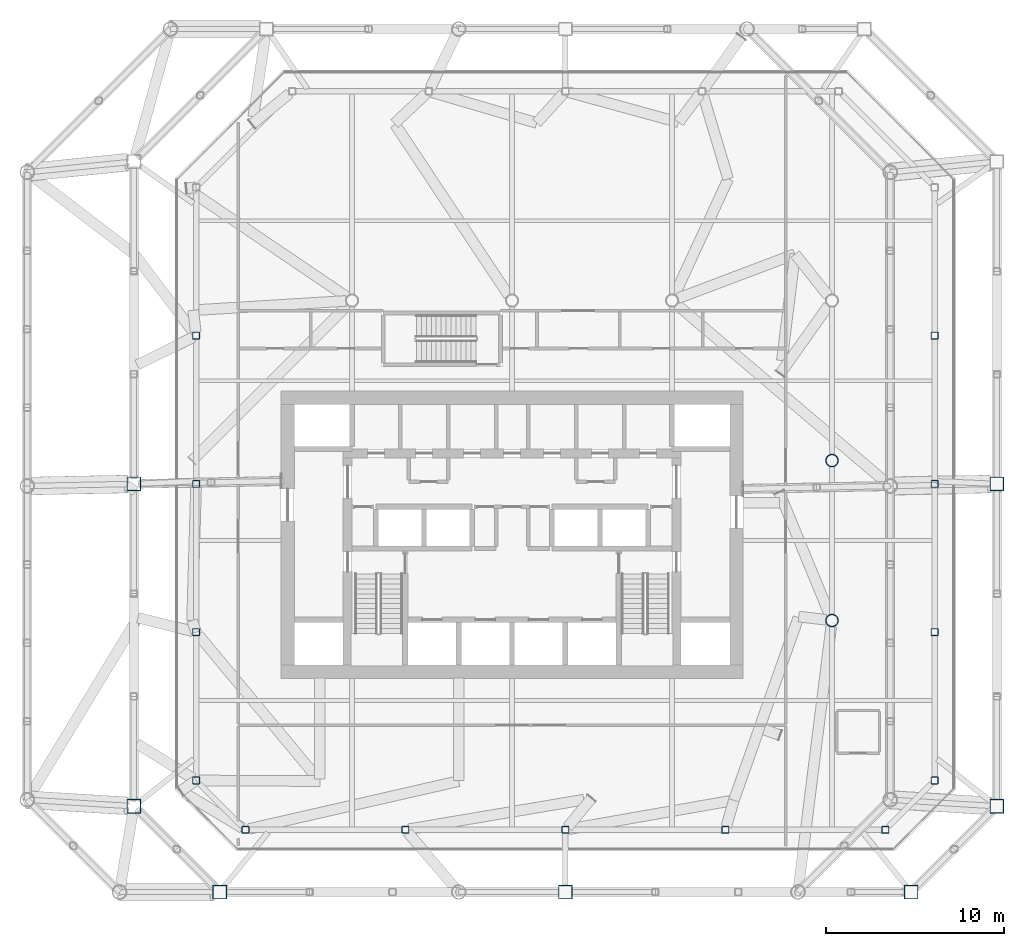
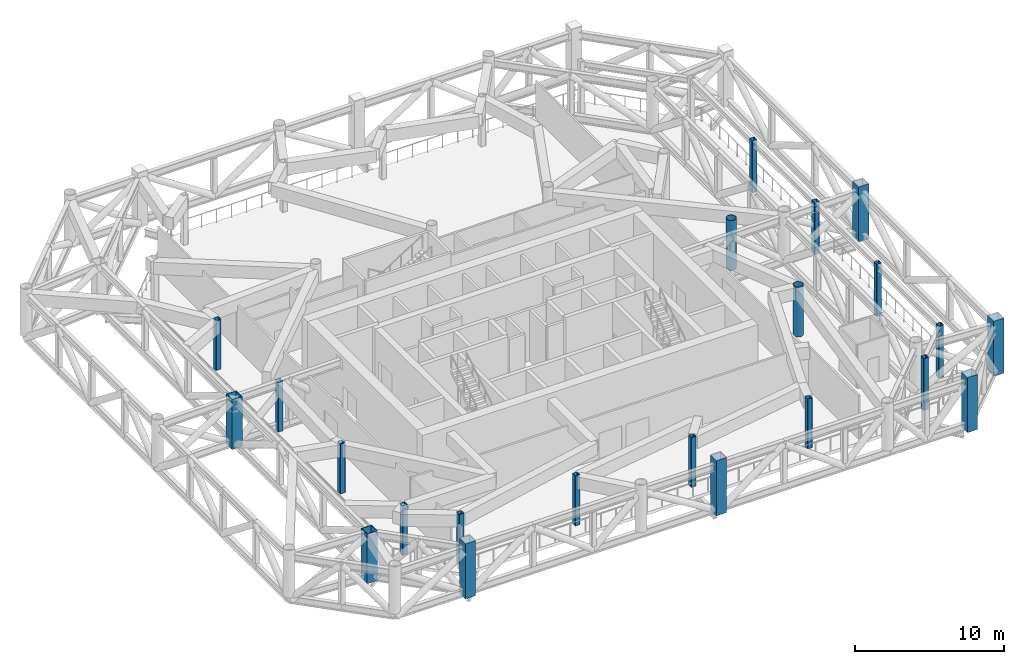
# One storey, part 1 of 21: 22 columns.
"""IFC4 building model written with IfcOpenShell, lengths in metres."""

from ifc_helpers import new_model, si_unit, direction, frame, origin, origin_2d, place, context, subcontext, project, spatial, hollow_rectangle, hollow_circle, extrude, material, material_profile, profile_set, type_object, element, save


model = new_model("IFC4")

# Units and contexts
model_context = context("Model", 3, precision=1e-05, world=origin(), true_north=direction((0.0, 1.0)))
body_context = subcontext(model_context, "Body", "Model", "MODEL_VIEW")
ifc_project = project(units=[si_unit("LENGTHUNIT", "METRE"), si_unit("AREAUNIT", "SQUARE_METRE"), si_unit("VOLUMEUNIT", "CUBIC_METRE"), si_unit("PLANEANGLEUNIT", "RADIAN"), si_unit("MASSUNIT", "GRAM", prefix="KILO")], contexts=[model_context])

# Site, building, storey
site_placement = place(None, origin())
site = spatial("IfcSite", under=ifc_project, at=site_placement, CompositionType="ELEMENT")
building_placement = place(site_placement, origin())
building = spatial("IfcBuilding", under=site, at=building_placement, Name="Tskaro Facet Tower", CompositionType="ELEMENT")
storey_placement = place(building_placement, frame((0.0, 0.0, 167.699951171875)))
storey = spatial("IfcBuildingStorey", under=building, at=storey_placement, Name="L41", CompositionType="ELEMENT", Elevation=167.699951171875)

# Columns
ifc_material_1 = material(Name="Steel S460M", Category="steel")
ifc_material_profile_1 = material_profile(ifc_material_1, hollow_rectangle(XDim=0.800048828125, YDim=0.800048828125, WallThickness=0.050048828125, at=origin_2d()), Name="BOX 800x800x50")
ifc_profile_set_1 = profile_set([ifc_material_profile_1], Name="Steel S460M")
column_type_1 = type_object("IfcColumnType", Name="BOX 800x800x50 mega column", PredefinedType="COLUMN", material=ifc_profile_set_1)
for number, where, z_axis, x_axis, name in (
    (1, (-16.449951171875, -24.27587890625, 0.0), (0.0, 0.0, 1.0), (1.0, 0.0, 0.0), "BOX 800x800x50 MC01/3T"),
    (2, (3.0, -24.27587890625, 0.0), (0.0, 0.0, 1.0), (1.0, 0.0, 0.0), "BOX 800x800x50 MC02/3T"),
    (3, (22.449951171875, -24.27587890625, 0.0), (0.0, 0.0, 1.0), (1.0, 0.0, 0.0), "BOX 800x800x50 MC03/3T"),
    (4, (27.27587890625, -19.449951171875, 0.0), (0.0, 0.0, 1.0), (1.0, 0.0, 0.0), "BOX 800x800x50 MC04/3T"),
    (5, (27.27587890625, -1.31591796875, 0.0), (0.0, 0.0, 1.0), (1.0, 0.0, 0.0), "BOX 800x800x50 MC05/3T"),
):
    element("IfcColumn", number, at=place(storey_placement, frame(where, z_axis=z_axis, x_axis=x_axis)), inside=storey, type_object=column_type_1, Name=name, PredefinedType="COLUMN", context=body_context, shape_type="SweptSolid", body=[
        extrude(hollow_rectangle(XDim=0.800048828125, YDim=0.800048828125, WallThickness=0.050048828125, at=origin_2d()), origin(), (0.0, 0.0, 1.0), 4.5),
    ])
for number, where, z_axis, x_axis, name in (
    (6, (-21.27587890625, -1.31591796875, 0.0), (0.0, 0.0, 1.0), (1.0, 0.0, 0.0), "BOX 800x800x50 MC11/3T"),
    (7, (-21.27587890625, -19.449951171875, 0.0), (0.0, 0.0, 1.0), (1.0, 0.0, 0.0), "BOX 800x800x50 MC12/3T"),
):
    element("IfcColumn", number, at=place(storey_placement, frame(where, z_axis=z_axis, x_axis=x_axis)), inside=storey, type_object=column_type_1, Name=name, PredefinedType="COLUMN", context=body_context, shape_type="SweptSolid", body=[
        extrude(hollow_rectangle(XDim=0.800048828125, YDim=0.800048828125, WallThickness=0.050048828125, at=origin_2d()), origin(), (0.0, 0.0, 1.0), 4.080078125),
    ])
ifc_material_2 = material(Name="Steel S355J2H", Category="steel")
ifc_material_profile_2 = material_profile(ifc_material_2, hollow_circle(Radius=0.35546875, WallThickness=0.031982421875, at=origin_2d()), Name="CHS 711x32")
ifc_profile_set_2 = profile_set([ifc_material_profile_2], Name="Steel S355J2H")
column_type_2 = type_object("IfcColumnType", Name="CHS 711x32 interior column", PredefinedType="COLUMN", material=ifc_profile_set_2)
for number, where, z_axis, x_axis, name in (
    (8, (18.0, -9.0, 0.0), (0.0, 0.0, 1.0), (1.0, 0.0, 0.0), "CHS 711x32 C6C/3"),
    (9, (18.0, 0.0, 0.0), (0.0, 0.0, 1.0), (1.0, 0.0, 0.0), "CHS 711x32 C6D/3"),
):
    element("IfcColumn", number, at=place(storey_placement, frame(where, z_axis=z_axis, x_axis=x_axis)), inside=storey, type_object=column_type_2, Name=name, PredefinedType="COLUMN", context=body_context, shape_type="SweptSolid", body=[
        extrude(hollow_circle(Radius=0.35546875, WallThickness=0.031982421875, at=origin_2d()), origin(), (0.0, 0.0, 1.0), 4.080078125),
    ])
ifc_material_profile_3 = material_profile(ifc_material_2, hollow_rectangle(XDim=0.39990234375, YDim=0.39990234375, WallThickness=0.02001953125, InnerFilletRadius=0.030029296875, OuterFilletRadius=0.050048828125, at=origin_2d()), Name="SHS 400x400x20")
ifc_profile_set_3 = profile_set([ifc_material_profile_3], Name="Steel S355J2H")
column_type_3 = type_object("IfcColumnType", Name="SHS 400x400x20 ring column", PredefinedType="COLUMN", material=ifc_profile_set_3)
for number, where, z_axis, x_axis, name in (
    (10, (-14.9990234375, -20.77392578125, 0.0), (0.0, 0.0, 1.0), (1.0, 0.0, 0.0), "SHS 400x400x20 RS-1/3"),
    (11, (-6.0, -20.77392578125, 0.0), (0.0, 0.0, 1.0), (1.0, 0.0, 0.0), "SHS 400x400x20 RS-2/3"),
    (12, (3.0, -20.77392578125, 0.0), (0.0, 0.0, 1.0), (1.0, 0.0, 0.0), "SHS 400x400x20 RS-3/3"),
    (13, (12.0, -20.77392578125, 0.0), (0.0, 0.0, 1.0), (1.0, 0.0, 0.0), "SHS 400x400x20 RS-4/3"),
):
    element("IfcColumn", number, at=place(storey_placement, frame(where, z_axis=z_axis, x_axis=x_axis)), inside=storey, type_object=column_type_3, Name=name, PredefinedType="COLUMN", context=body_context, shape_type="SweptSolid", body=[
        extrude(hollow_rectangle(XDim=0.39990234375, YDim=0.39990234375, WallThickness=0.02001953125, InnerFilletRadius=0.030029296875, OuterFilletRadius=0.050048828125, at=origin_2d()), origin(), (0.0, 0.0, 1.0), 4.080078125),
    ])
for number, where, z_axis, x_axis, name in (
    (14, (20.9990234375, -20.77392578125, 0.0), (0.0, 0.0, 1.0), (1.0, 0.0, 0.0), "SHS 400x400x20 RSE-1/3"),
    (15, (23.77392578125, -17.9990234375, 0.0), (0.0, 0.0, 1.0), (1.0, 0.0, 0.0), "SHS 400x400x20 RE-1/3"),
    (16, (23.77392578125, -9.656982421875, 0.0), (0.0, 0.0, 1.0), (1.0, 0.0, 0.0), "SHS 400x400x20 RE-2/3"),
    (17, (23.77392578125, -1.31591796875, 0.0), (0.0, 0.0, 1.0), (1.0, 0.0, 0.0), "SHS 400x400x20 RE-3/3"),
    (18, (23.77392578125, 7.02587890625, 0.0), (0.0, 0.0, 1.0), (1.0, 0.0, 0.0), "SHS 400x400x20 RE-4/3"),
):
    element("IfcColumn", number, at=place(storey_placement, frame(where, z_axis=z_axis, x_axis=x_axis)), inside=storey, type_object=column_type_3, Name=name, PredefinedType="COLUMN", context=body_context, shape_type="SweptSolid", body=[
        extrude(hollow_rectangle(XDim=0.39990234375, YDim=0.39990234375, WallThickness=0.02001953125, InnerFilletRadius=0.030029296875, OuterFilletRadius=0.050048828125, at=origin_2d()), origin(), (0.0, 0.0, 1.0), 4.25),
    ])
for number, where, z_axis, x_axis, name in (
    (19, (-17.77392578125, 7.02587890625, 0.0), (0.0, 0.0, 1.0), (1.0, 0.0, 0.0), "SHS 400x400x20 RW-2/3"),
    (20, (-17.77392578125, -1.31494140625, 0.0), (0.0, 0.0, 1.0), (1.0, 0.0, 0.0), "SHS 400x400x20 RW-3/3"),
    (21, (-17.77392578125, -9.656982421875, 0.0), (0.0, 0.0, 1.0), (1.0, 0.0, 0.0), "SHS 400x400x20 RW-4/3"),
    (22, (-17.77392578125, -17.9990234375, 0.0), (0.0, 0.0, 1.0), (1.0, 0.0, 0.0), "SHS 400x400x20 RSW-1/3"),
):
    element("IfcColumn", number, at=place(storey_placement, frame(where, z_axis=z_axis, x_axis=x_axis)), inside=storey, type_object=column_type_3, Name=name, PredefinedType="COLUMN", context=body_context, shape_type="SweptSolid", body=[
        extrude(hollow_rectangle(XDim=0.39990234375, YDim=0.39990234375, WallThickness=0.02001953125, InnerFilletRadius=0.030029296875, OuterFilletRadius=0.050048828125, at=origin_2d()), origin(), (0.0, 0.0, 1.0), 4.080078125),
    ])

save(model, "model.ifc")
